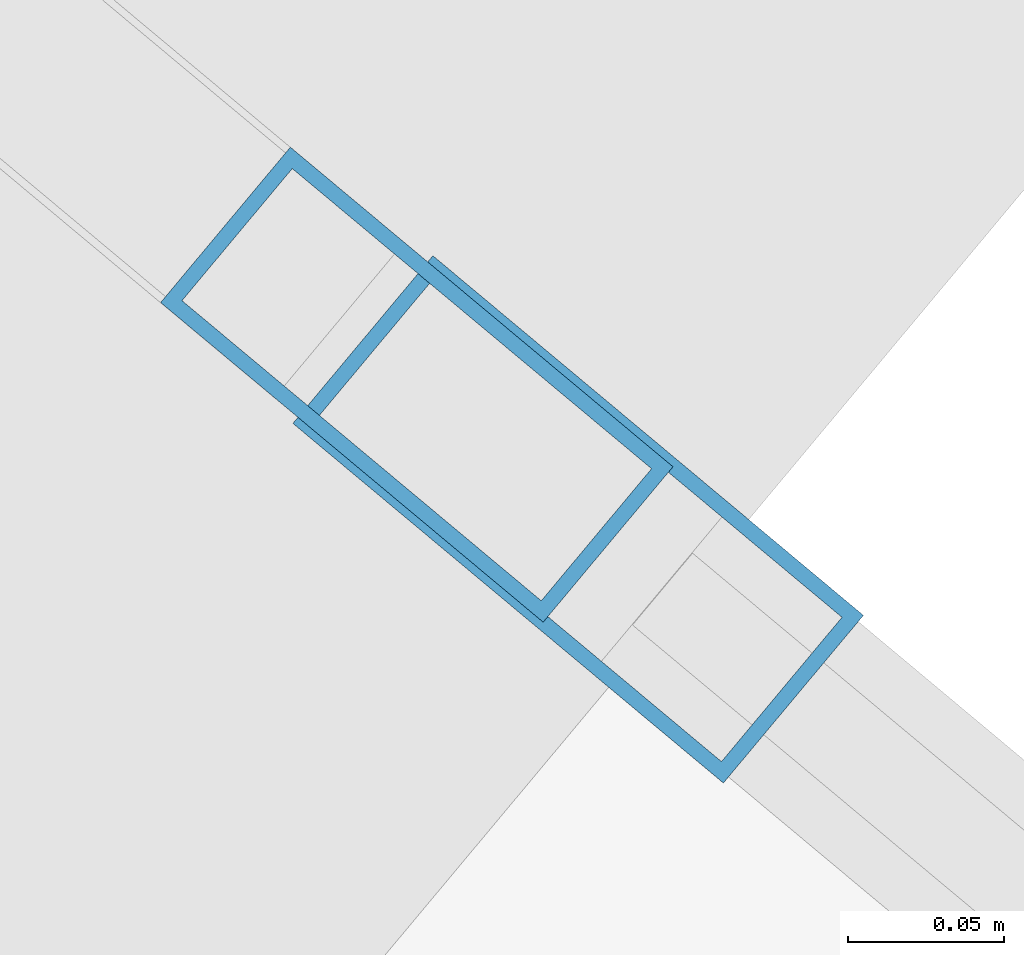
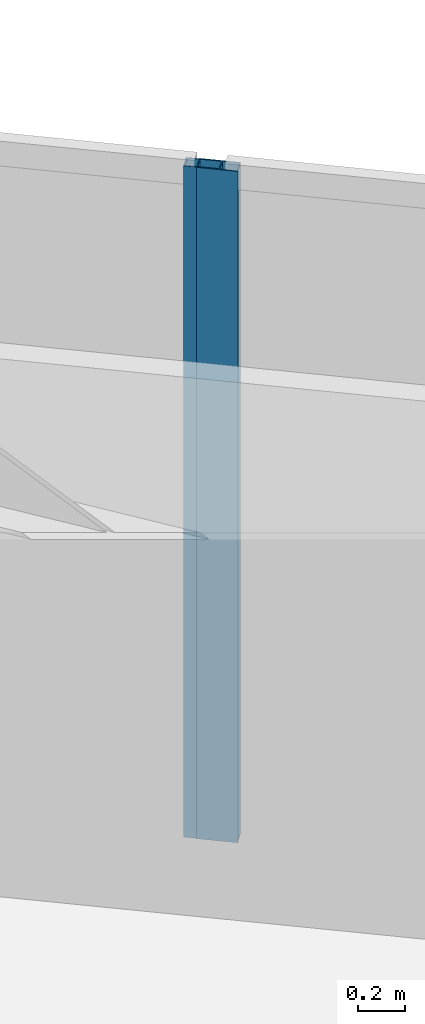
# One storey, part 10 of 23: 2 members, 2 elements without a shape of their own.
"""IFC4 building model written with IfcOpenShell, lengths in metres."""

from ifc_helpers import new_model, si_unit, direction, frame, origin, origin_2d, place, context, subcontext, project, spatial, hollow_rectangle, extrude, material, layer, layer_set, material_profile, profile_set, type_object, element, aggregate, save


model = new_model("IFC4")

# Units and contexts
model_context = context("Model", 3, precision=1e-05, world=origin(), true_north=direction((0.0, 1.0)))
body_context = subcontext(model_context, "Body", "Model", "MODEL_VIEW")
ifc_project = project(units=[si_unit("LENGTHUNIT", "METRE"), si_unit("AREAUNIT", "SQUARE_METRE"), si_unit("VOLUMEUNIT", "CUBIC_METRE"), si_unit("PLANEANGLEUNIT", "RADIAN"), si_unit("MASSUNIT", "GRAM", prefix="KILO")], contexts=[model_context])

# Site, building, storey
site_placement = place(None, origin())
site = spatial("IfcSite", under=ifc_project, at=site_placement, CompositionType="ELEMENT")
building_placement = place(site_placement, origin())
building = spatial("IfcBuilding", under=site, at=building_placement, Name="Qianvela Tower", CompositionType="ELEMENT")
storey_placement = place(building_placement, frame((0.0, 0.0, 78.39990234375)))
storey = spatial("IfcBuildingStorey", under=building, at=storey_placement, Name="L19", CompositionType="ELEMENT", Elevation=78.39990234375)

# Curtain wall, member
ifc_material_1 = material(Name="Anodised Architectural Aluminium and Insulated Spandrel Panel", Category="aluminium")
ifc_layer_1 = layer(ifc_material_1, 0.179931640625)
ifc_layer_set_1 = layer_set([ifc_layer_1], Name="Anodised Architectural Aluminium and Insulated Spandrel Panel")
curtain_wall_type_1 = type_object("IfcCurtainWallType", Name="CW-BRACEBAY", PredefinedType="USERDEFINED", material=ifc_layer_set_1)
curtain_wall_1_placement = place(storey_placement, origin())
curtain_wall_1 = element("IfcCurtainWall", 1, at=curtain_wall_1_placement, inside=storey, type_object=curtain_wall_type_1, Name="L19 CW-BRACEBAY Curtain Wall 02B", ObjectType="CURTAIN_WALL_SYSTEM", PredefinedType="USERDEFINED")
ifc_material_2 = material(Name="Anodised Architectural Aluminium 6063-T6", Category="aluminium")
ifc_material_profile_1 = material_profile(ifc_material_2, hollow_rectangle(XDim=0.06494140625, YDim=0.159912109375, WallThickness=0.0048828125, at=origin_2d()), Name="ALU-MULL-65x160")
ifc_profile_set_1 = profile_set([ifc_material_profile_1], Name="Anodised Architectural Aluminium 6063-T6")
member_type_1 = type_object("IfcMemberType", Name="CW-BRACEBAY-MULL", PredefinedType="MULLION", material=ifc_profile_set_1)
member_1_placement = place(storey_placement, frame((48.328125, 33.947998046875, 0.0), z_axis=(0.0, 0.0, 1.0), x_axis=(-0.641079532081, -0.767474451396, 0.0)))
member_1 = element("IfcMember", 2, at=member_1_placement, type_object=member_type_1, Name="CW-9 mullion 1", PredefinedType="MULLION", context=body_context, shape_type="SweptSolid", body=[
    extrude(hollow_rectangle(XDim=0.06494140625, YDim=0.159912109375, WallThickness=0.0048828125, at=origin_2d()), origin(), (0.0, 0.0, 1.0), 3.52001953125),
])
aggregate(curtain_wall_1, [member_1])

ifc_material_3 = material(Name="Anodised Architectural Aluminium and Low-E Glass", Category="aluminium")
ifc_layer_2 = layer(ifc_material_3, 0.179931640625)
ifc_layer_set_2 = layer_set([ifc_layer_2], Name="Anodised Architectural Aluminium and Low-E Glass")
curtain_wall_type_2 = type_object("IfcCurtainWallType", Name="CW-COLIV-Z12", PredefinedType="USERDEFINED", material=ifc_layer_set_2)
curtain_wall_2_placement = place(storey_placement, origin())
curtain_wall_2 = element("IfcCurtainWall", 3, at=curtain_wall_2_placement, inside=storey, type_object=curtain_wall_type_2, Name="L19 CW-COLIV-Z12 Curtain Wall 02A", ObjectType="CURTAIN_WALL_SYSTEM", PredefinedType="USERDEFINED")
ifc_material_4 = material(Name="Anodised Architectural Aluminium 6063-T6", Category="aluminium")
ifc_material_profile_2 = material_profile(ifc_material_4, hollow_rectangle(XDim=0.070068359375, YDim=0.179931640625, WallThickness=0.0048828125, at=origin_2d()), Name="ALU-MULL-70x180")
ifc_profile_set_2 = profile_set([ifc_material_profile_2], Name="Anodised Architectural Aluminium 6063-T6")
member_type_2 = type_object("IfcMemberType", Name="CW-COLIV-Z12-MULL", PredefinedType="MULLION", material=ifc_profile_set_2)
member_2_placement = place(storey_placement, frame((48.3798828125, 33.90478515625, 0.0), z_axis=(0.0, 0.0, 1.0), x_axis=(-0.641086326125, -0.767468776209, 0.0)))
member_2 = element("IfcMember", 4, at=member_2_placement, type_object=member_type_2, Name="CW-3 mullion 3", PredefinedType="MULLION", context=body_context, shape_type="SweptSolid", body=[
    extrude(hollow_rectangle(XDim=0.070068359375, YDim=0.179931640625, WallThickness=0.0048828125, at=origin_2d()), origin(), (0.0, 0.0, 1.0), 3.52001953125),
])
aggregate(curtain_wall_2, [member_2])

save(model, "model.ifc")
